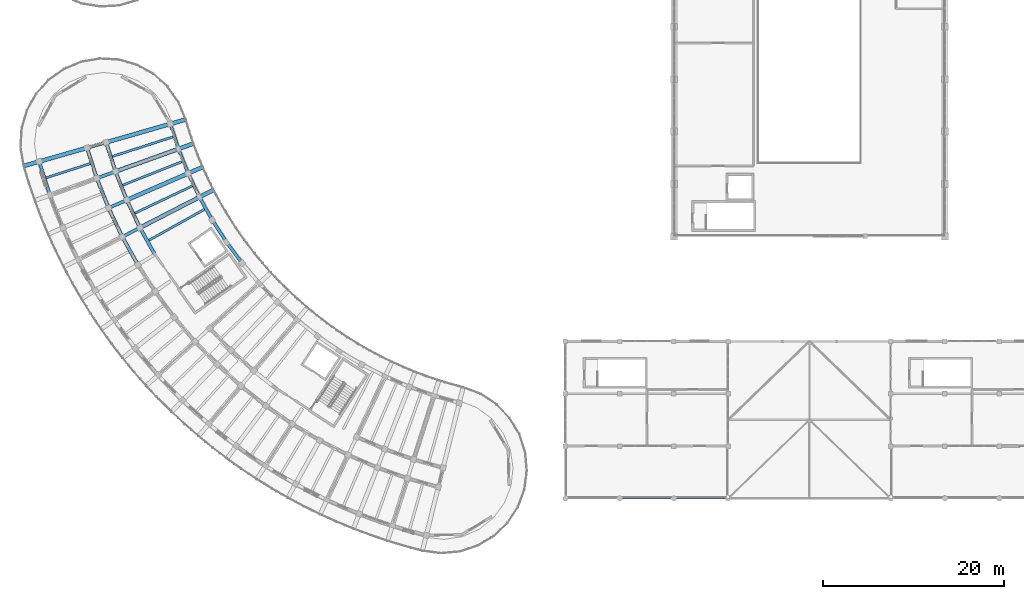
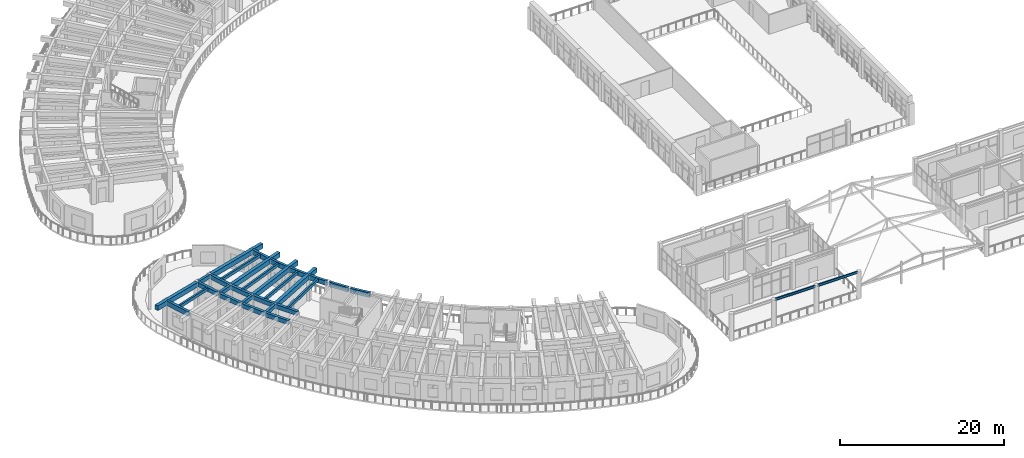
# One storey, part 14 of 128: 31 beams.
"""IFC4 building model written with IfcOpenShell, lengths in metres."""

from ifc_helpers import new_model, si_unit, direction, frame, origin, origin_2d, place, context, subcontext, project, spatial, rectangle, i_section, extrude, material, material_profile, profile_set, type_object, element, save


model = new_model("IFC4")

# Units and contexts
model_context = context("Model", 3, precision=1e-05, world=origin(), true_north=direction((0.0, 1.0)))
body_context = subcontext(model_context, "Body", "Model", "MODEL_VIEW")
ifc_project = project(units=[si_unit("LENGTHUNIT", "METRE"), si_unit("AREAUNIT", "SQUARE_METRE"), si_unit("VOLUMEUNIT", "CUBIC_METRE"), si_unit("PLANEANGLEUNIT", "RADIAN"), si_unit("MASSUNIT", "GRAM", prefix="KILO")], contexts=[model_context])

# Site, building, storey
site_placement = place(None, origin())
site = spatial("IfcSite", under=ifc_project, at=site_placement, CompositionType="ELEMENT")
building_placement = place(site_placement, origin())
building = spatial("IfcBuilding", under=site, at=building_placement, Name="Tanwirah Colonnade Gardens", CompositionType="ELEMENT")
storey_placement = place(building_placement, frame((0.0, 0.0, 4.760009765625)))
storey = spatial("IfcBuildingStorey", under=building, at=storey_placement, Name="L01", CompositionType="ELEMENT", Elevation=4.760009765625)

# Beams
ifc_material_1 = material(Name="Precast concrete C40/50", Category="concrete")
ifc_material_profile_1 = material_profile(ifc_material_1, rectangle(XDim=0.35009765625, YDim=0.550048828125, at=origin_2d()), Name="PC-BM 350x550")
ifc_profile_set_1 = profile_set([ifc_material_profile_1], Name="Precast concrete C40/50")
beam_type_1 = type_object("IfcBeamType", Name="BM-PC350A", PredefinedType="BEAM", material=ifc_profile_set_1)
for number, where, z_axis, x_axis, name in (
    (1, (15.014404296875, 50.166748046875, 3.550048828125), (-0.961266538157, -0.275620468433, 0.0), (0.275620468433, -0.961266538157, 0.0), "Block C L01 Corridor Tie Beam 0"),
    (2, (16.058837890625, 46.92822265625, 3.550048828125), (-0.941214575511, -0.337809299525, 0.0), (0.337809299525, -0.941214575511, 0.0), "Block C L01 Corridor Tie Beam 1"),
):
    element("IfcBeam", number, at=place(storey_placement, frame(where, z_axis=z_axis, x_axis=x_axis)), inside=storey, type_object=beam_type_1, Name=name, PredefinedType="BEAM", context=body_context, shape_type="SweptSolid", body=[
        extrude(rectangle(XDim=0.35009765625, YDim=0.550048828125, at=origin_2d()), origin(), (0.0, 0.0, 1.0), 1.89990234375),
    ])
beam_1_placement = place(storey_placement, frame((17.31298828125, 43.76513671875, 3.550048828125), z_axis=(-0.917025109963, -0.398829471952, 0.0), x_axis=(0.398829471952, -0.917025109963, 0.0)))
element("IfcBeam", 3, at=beam_1_placement, inside=storey, type_object=beam_type_1, Name="Block C L01 Corridor Tie Beam 2", PredefinedType="BEAM", context=body_context, shape_type="SweptSolid", body=[
    extrude(rectangle(XDim=0.35009765625, YDim=0.550048828125, at=origin_2d()), origin(), (0.0, 0.0, 1.0), 1.900146484375),
])
beam_2_placement = place(storey_placement, frame((18.77099609375, 40.690673828125, 3.550048828125), z_axis=(-0.888965044602, -0.457975053334, 0.0), x_axis=(0.457975053334, -0.888965044602, 0.0)))
element("IfcBeam", 4, at=beam_2_placement, inside=storey, type_object=beam_type_1, Name="Block C L01 Corridor Tie Beam 3", PredefinedType="BEAM", context=body_context, shape_type="SweptSolid", body=[
    extrude(rectangle(XDim=0.35009765625, YDim=0.550048828125, at=origin_2d()), origin(), (0.0, 0.0, 1.0), 1.89990234375),
])
ifc_material_profile_2 = material_profile(ifc_material_1, rectangle(XDim=0.3798828125, YDim=0.6201171875, at=origin_2d()), Name="PC-BM 380x620")
ifc_profile_set_2 = profile_set([ifc_material_profile_2], Name="Precast concrete C40/50")
beam_type_2 = type_object("IfcBeamType", Name="BM-PC380", PredefinedType="BEAM", material=ifc_profile_set_2)
beam_3_placement = place(storey_placement, frame((15.20458984375, 50.0654296875, 3.514892578125), z_axis=(0.306977410573, -0.951716801048, 0.0), x_axis=(0.951716801048, 0.306977410573, 0.0)))
element("IfcBeam", 5, at=beam_3_placement, inside=storey, type_object=beam_type_2, Name="Block C L01 Circumferential Beam 0-R1", PredefinedType="BEAM", context=body_context, shape_type="SweptSolid", body=[
    extrude(rectangle(XDim=0.3798828125, YDim=0.6201171875, at=origin_2d()), origin(), (0.0, 0.0, 1.0), 3.093017578125),
])
beam_4_placement = place(storey_placement, frame((13.08984375, 49.458984375, 3.514892578125), z_axis=(0.306980742305, -0.951715726388, 0.0), x_axis=(0.951715726388, 0.306980742305, 0.0)))
element("IfcBeam", 6, at=beam_4_placement, inside=storey, type_object=beam_type_2, Name="Block C L01 Circumferential Beam 0-R2", PredefinedType="BEAM", context=body_context, shape_type="SweptSolid", body=[
    extrude(rectangle(XDim=0.3798828125, YDim=0.6201171875, at=origin_2d()), origin(), (0.0, 0.0, 1.0), 3.23681640625),
])
beam_5_placement = place(storey_placement, frame((16.25537109375, 46.839599609375, 3.514892578125), z_axis=(0.368544574427, -0.929610077753, 0.0), x_axis=(0.929610077753, 0.368544574427, 0.0)))
element("IfcBeam", 7, at=beam_5_placement, inside=storey, type_object=beam_type_2, Name="Block C L01 Circumferential Beam 1-R1", PredefinedType="BEAM", context=body_context, shape_type="SweptSolid", body=[
    extrude(rectangle(XDim=0.3798828125, YDim=0.6201171875, at=origin_2d()), origin(), (0.0, 0.0, 1.0), 3.093017578125),
])
beam_6_placement = place(storey_placement, frame((14.184814453125, 46.09619140625, 3.514892578125), z_axis=(0.368527954052, -0.929616666741, 0.0), x_axis=(0.929616666741, 0.368527954052, 0.0)))
element("IfcBeam", 8, at=beam_6_placement, inside=storey, type_object=beam_type_2, Name="Block C L01 Circumferential Beam 1-R2", PredefinedType="BEAM", context=body_context, shape_type="SweptSolid", body=[
    extrude(rectangle(XDim=0.3798828125, YDim=0.6201171875, at=origin_2d()), origin(), (0.0, 0.0, 1.0), 3.23681640625),
])
beam_7_placement = place(storey_placement, frame((17.5146484375, 43.689453125, 3.514892578125), z_axis=(0.428520598641, -0.903532011907, 0.0), x_axis=(0.903532011907, 0.428520598641, 0.0)))
element("IfcBeam", 9, at=beam_7_placement, inside=storey, type_object=beam_type_2, Name="Block C L01 Circumferential Beam 2-R1", PredefinedType="BEAM", context=body_context, shape_type="SweptSolid", body=[
    extrude(rectangle(XDim=0.3798828125, YDim=0.6201171875, at=origin_2d()), origin(), (0.0, 0.0, 1.0), 3.093017578125),
])
beam_8_placement = place(storey_placement, frame((15.4970703125, 42.81201171875, 3.514892578125), z_axis=(0.428562893949, -0.903511951183, 0.0), x_axis=(0.903511951183, 0.428562893949, 0.0)))
element("IfcBeam", 10, at=beam_8_placement, inside=storey, type_object=beam_type_2, Name="Block C L01 Circumferential Beam 2-R2", PredefinedType="BEAM", context=body_context, shape_type="SweptSolid", body=[
    extrude(rectangle(XDim=0.3798828125, YDim=0.6201171875, at=origin_2d()), origin(), (0.0, 0.0, 1.0), 3.23681640625),
])
beam_9_placement = place(storey_placement, frame((18.9775390625, 40.628173828125, 3.514892578125), z_axis=(0.486708181837, -0.873564620239, 0.0), x_axis=(0.873564620239, 0.486708181837, 0.0)))
element("IfcBeam", 11, at=beam_9_placement, inside=storey, type_object=beam_type_2, Name="Block C L01 Circumferential Beam 3-R1", PredefinedType="BEAM", context=body_context, shape_type="SweptSolid", body=[
    extrude(rectangle(XDim=0.3798828125, YDim=0.6201171875, at=origin_2d()), origin(), (0.0, 0.0, 1.0), 3.093017578125),
])
beam_10_placement = place(storey_placement, frame((17.021728515625, 39.620849609375, 3.514892578125), z_axis=(0.486712025227, -0.873562478875, 0.0), x_axis=(0.873562478875, 0.486712025227, 0.0)))
element("IfcBeam", 12, at=beam_10_placement, inside=storey, type_object=beam_type_2, Name="Block C L01 Circumferential Beam 3-R2", PredefinedType="BEAM", context=body_context, shape_type="SweptSolid", body=[
    extrude(rectangle(XDim=0.3798828125, YDim=0.6201171875, at=origin_2d()), origin(), (0.0, 0.0, 1.0), 3.23681640625),
])
ifc_material_2 = material(Name="Precast concrete C45/55", Category="concrete")
ifc_material_profile_3 = material_profile(ifc_material_2, rectangle(XDim=0.449951171875, YDim=0.699951171875, at=origin_2d()), Name="PC-BM 450x700")
ifc_profile_set_3 = profile_set([ifc_material_profile_3], Name="Precast concrete C45/55")
beam_type_3 = type_object("IfcBeamType", Name="BM-PC450", PredefinedType="BEAM", material=ifc_profile_set_3)
beam_11_placement = place(storey_placement, frame((15.302734375, 50.24951171875, 3.47509765625), z_axis=(0.961258954076, 0.275646917646, 0.0), x_axis=(-0.275646917646, 0.961258954076, 0.0)))
element("IfcBeam", 13, at=beam_11_placement, inside=storey, type_object=beam_type_3, Name="Block C L01 Inner Radial Precast Girder 0", PredefinedType="BEAM", context=body_context, shape_type="SweptSolid", body=[
    extrude(rectangle(XDim=0.449951171875, YDim=0.699951171875, at=origin_2d()), origin(), (0.0, 0.0, 1.0), 8.949951171875),
])
beam_12_placement = place(storey_placement, frame((12.899658203125, 49.560546875, 3.47509765625), z_axis=(-0.961256910003, -0.275654045811, 0.0), x_axis=(0.275654045811, -0.961256910003, 0.0)))
element("IfcBeam", 14, at=beam_12_placement, inside=storey, type_object=beam_type_3, Name="Block C L01 Outer Radial Precast Girder 0", PredefinedType="BEAM", context=body_context, shape_type="SweptSolid", body=[
    extrude(rectangle(XDim=0.449951171875, YDim=0.699951171875, at=origin_2d()), origin(), (0.0, 0.0, 1.0), 7.050048828125),
])
beam_13_placement = place(storey_placement, frame((16.34130859375, 47.02978515625, 3.47509765625), z_axis=(0.941180212187, 0.337905028356, 0.0), x_axis=(-0.337905028356, 0.941180212187, 0.0)))
element("IfcBeam", 15, at=beam_13_placement, inside=storey, type_object=beam_type_3, Name="Block C L01 Inner Radial Precast Girder 1", PredefinedType="BEAM", context=body_context, shape_type="SweptSolid", body=[
    extrude(rectangle(XDim=0.449951171875, YDim=0.699951171875, at=origin_2d()), origin(), (0.0, 0.0, 1.0), 8.94970703125),
])
for number, where, z_axis, x_axis, name in (
    (16, (17.587890625, 43.884765625, 3.47509765625), (0.917069622575, 0.398727108872, 0.0), (-0.398727108872, 0.917069622575, 0.0), "Block C L01 Inner Radial Precast Girder 2"),
    (17, (19.037841796875, 40.827880859375, 3.47509765625), (0.889022337846, 0.457863825619, 0.0), (-0.457863825619, 0.889022337846, 0.0), "Block C L01 Inner Radial Precast Girder 3"),
):
    element("IfcBeam", number, at=place(storey_placement, frame(where, z_axis=z_axis, x_axis=x_axis)), inside=storey, type_object=beam_type_3, Name=name, PredefinedType="BEAM", context=body_context, shape_type="SweptSolid", body=[
        extrude(rectangle(XDim=0.449951171875, YDim=0.699951171875, at=origin_2d()), origin(), (0.0, 0.0, 1.0), 8.949951171875),
    ])
ifc_material_profile_4 = material_profile(ifc_material_1, rectangle(XDim=0.25, YDim=0.449951171875, at=origin_2d()), Name="PC-JST 250x450")
ifc_profile_set_4 = profile_set([ifc_material_profile_4], Name="Precast concrete C40/50")
beam_type_4 = type_object("IfcBeamType", Name="JST-PC250", PredefinedType="JOIST", material=ifc_profile_set_4)
beam_14_placement = place(storey_placement, frame((13.44482421875, 47.873046875, 3.60009765625), z_axis=(-0.95172917624, -0.30693904133, 0.0), x_axis=(0.30693904133, -0.95172917624, 0.0)))
element("IfcBeam", 18, at=beam_14_placement, inside=storey, type_object=beam_type_4, Name="Block C L01 Precast Floor Joist 0", PredefinedType="JOIST", context=body_context, shape_type="SweptSolid", body=[
    extrude(rectangle(XDim=0.25, YDim=0.449951171875, at=origin_2d()), origin(), (0.0, 0.0, 1.0), 5.260009765625),
])
for number, where, z_axis, x_axis, name in (
    (19, (22.58154296875, 50.819580078125, 3.60009765625), (-0.951727255502, -0.30694499692, 0.0), (0.30694499692, -0.951727255502, 0.0), "Block C L01 Inner Precast Floor Joist 0"),
    (20, (23.567138671875, 48.07470703125, 3.60009765625), (-0.929619798141, -0.368520054956, 0.0), (0.368520054956, -0.929619798141, 0.0), "Block C L01 Inner Precast Floor Joist 1"),
):
    element("IfcBeam", number, at=place(storey_placement, frame(where, z_axis=z_axis, x_axis=x_axis)), inside=storey, type_object=beam_type_4, Name=name, PredefinedType="JOIST", context=body_context, shape_type="SweptSolid", body=[
        extrude(rectangle(XDim=0.25, YDim=0.449951171875, at=origin_2d()), origin(), (0.0, 0.0, 1.0), 7.16015625),
    ])
for number, where, z_axis, x_axis, name in (
    (21, (24.72998046875, 45.39990234375, 3.60009765625), (-0.903522492189, -0.428540670308, 0.0), (0.428540670308, -0.903522492189, 0.0), "Block C L01 Inner Precast Floor Joist 2"),
    (22, (26.0654296875, 42.80712890625, 3.60009765625), (-0.873559899034, -0.486716655561, 0.0), (0.486716655561, -0.873559899034, 0.0), "Block C L01 Inner Precast Floor Joist 3"),
):
    element("IfcBeam", number, at=place(storey_placement, frame(where, z_axis=z_axis, x_axis=x_axis)), inside=storey, type_object=beam_type_4, Name=name, PredefinedType="JOIST", context=body_context, shape_type="SweptSolid", body=[
        extrude(rectangle(XDim=0.25, YDim=0.449951171875, at=origin_2d()), origin(), (0.0, 0.0, 1.0), 7.159912109375),
    ])
ifc_material_3 = material(Name="Steel S355", Category="steel")
ifc_material_profile_5 = material_profile(ifc_material_3, i_section(OverallWidth=0.169921875, OverallDepth=0.360107421875, WebThickness=0.008056640625, FlangeThickness=0.0126953125, at=origin_2d()), Name="IPE 360")
ifc_profile_set_5 = profile_set([ifc_material_profile_5], Name="Steel S355")
beam_type_5 = type_object("IfcBeamType", Name="SBM-IPE360", PredefinedType="BEAM", material=ifc_profile_set_5)
for number, where, z_axis, x_axis, name in (
    (23, (72.14990234375, 10.800048828125, 3.89990234375), (1.0, 0.0, 0.0), (0.0, 1.0, 0.0), "Boulevard Shops W L01 Beam 1.0"),
    (24, (78.14990234375, 10.800048828125, 3.89990234375), (1.0, 0.0, 0.0), (0.0, 1.0, 0.0), "Boulevard Shops W L01 Beam 2.0"),
):
    element("IfcBeam", number, at=place(storey_placement, frame(where, z_axis=z_axis, x_axis=x_axis)), inside=storey, type_object=beam_type_5, Name=name, PredefinedType="BEAM", context=body_context, shape_type="SweptSolid", body=[
        extrude(i_section(OverallWidth=0.169921875, OverallDepth=0.360107421875, WebThickness=0.008056640625, FlangeThickness=0.0126953125, at=origin_2d()), origin(), (0.0, 0.0, 1.0), 5.7001953125),
    ])
ifc_material_profile_6 = material_profile(ifc_material_2, rectangle(XDim=0.340087890625, YDim=0.699951171875, at=origin_2d()), Name="PC-SP 340x700")
ifc_profile_set_6 = profile_set([ifc_material_profile_6], Name="Precast concrete C45/55")
beam_type_6 = type_object("IfcBeamType", Name="SP-PC340", PredefinedType="SPANDREL", material=ifc_profile_set_6)
beam_15_placement = place(storey_placement, frame((22.31787109375, 52.105224609375, 3.47509765625), z_axis=(0.306948094518, -0.951726256479, 0.0), x_axis=(0.951726256479, 0.306948094518, 0.0)))
element("IfcBeam", 25, at=beam_15_placement, inside=storey, type_object=beam_type_6, Name="Block C L01 Circumferential Beam 0-R0", PredefinedType="SPANDREL", context=body_context, shape_type="SweptSolid", body=[
    extrude(rectangle(XDim=0.340087890625, YDim=0.699951171875, at=origin_2d()), origin(), (0.0, 0.0, 1.0), 2.60888671875),
])
beam_16_placement = place(storey_placement, frame((7.802978515625, 47.943115234375, 3.47509765625), z_axis=(0.306927419976, -0.951732924127, 0.0), x_axis=(0.951732924127, 0.306927419976, 0.0)))
element("IfcBeam", 26, at=beam_16_placement, inside=storey, type_object=beam_type_6, Name="Block C L01 Circumferential Beam 0-R3", PredefinedType="SPANDREL", context=body_context, shape_type="SweptSolid", body=[
    extrude(rectangle(XDim=0.340087890625, YDim=0.699951171875, at=origin_2d()), origin(), (0.0, 0.0, 1.0), 3.596923828125),
])
beam_17_placement = place(storey_placement, frame((23.219970703125, 49.340087890625, 3.47509765625), z_axis=(0.368549031306, -0.929608310808, 0.0), x_axis=(0.929608310808, 0.368549031306, 0.0)))
element("IfcBeam", 27, at=beam_17_placement, inside=storey, type_object=beam_type_6, Name="Block C L01 Circumferential Beam 1-R0", PredefinedType="SPANDREL", context=body_context, shape_type="SweptSolid", body=[
    extrude(rectangle(XDim=0.340087890625, YDim=0.699951171875, at=origin_2d()), origin(), (0.0, 0.0, 1.0), 2.608642578125),
])
beam_18_placement = place(storey_placement, frame((24.301025390625, 46.64013671875, 3.47509765625), z_axis=(0.428512709915, -0.903535753272, 0.0), x_axis=(0.903535753272, 0.428512709915, 0.0)))
element("IfcBeam", 28, at=beam_18_placement, inside=storey, type_object=beam_type_6, Name="Block C L01 Circumferential Beam 2-R0", PredefinedType="SPANDREL", context=body_context, shape_type="SweptSolid", body=[
    extrude(rectangle(XDim=0.340087890625, YDim=0.699951171875, at=origin_2d()), origin(), (0.0, 0.0, 1.0), 2.60888671875),
])
beam_19_placement = place(storey_placement, frame((25.55615234375, 44.016357421875, 3.47509765625), z_axis=(0.486747049114, -0.873542964129, 0.0), x_axis=(0.873542964129, 0.486747049114, 0.0)))
element("IfcBeam", 29, at=beam_19_placement, inside=storey, type_object=beam_type_6, Name="Block C L01 Circumferential Beam 3-R0", PredefinedType="SPANDREL", context=body_context, shape_type="SweptSolid", body=[
    extrude(rectangle(XDim=0.340087890625, YDim=0.699951171875, at=origin_2d()), origin(), (0.0, 0.0, 1.0), 2.608642578125),
])
beam_20_placement = place(storey_placement, frame((26.980224609375, 41.48046875, 3.47509765625), z_axis=(0.542874837406, -0.83981361677, 0.0), x_axis=(0.83981361677, 0.542874837406, 0.0)))
element("IfcBeam", 30, at=beam_20_placement, inside=storey, type_object=beam_type_6, Name="Block C L01 Circumferential Beam 4-R0", PredefinedType="SPANDREL", context=body_context, shape_type="SweptSolid", body=[
    extrude(rectangle(XDim=0.340087890625, YDim=0.699951171875, at=origin_2d()), origin(), (0.0, 0.0, 1.0), 2.60888671875),
])
beam_21_placement = place(storey_placement, frame((28.5673828125, 39.043212890625, 3.47509765625), z_axis=(0.596565220249, -0.802564600508, 0.0), x_axis=(0.802564600508, 0.596565220249, 0.0)))
element("IfcBeam", 31, at=beam_21_placement, inside=storey, type_object=beam_type_6, Name="Block C L01 Circumferential Beam 5-R0", PredefinedType="SPANDREL", context=body_context, shape_type="SweptSolid", body=[
    extrude(rectangle(XDim=0.340087890625, YDim=0.699951171875, at=origin_2d()), origin(), (0.0, 0.0, 1.0), 2.6083984375),
])

save(model, "model.ifc")
